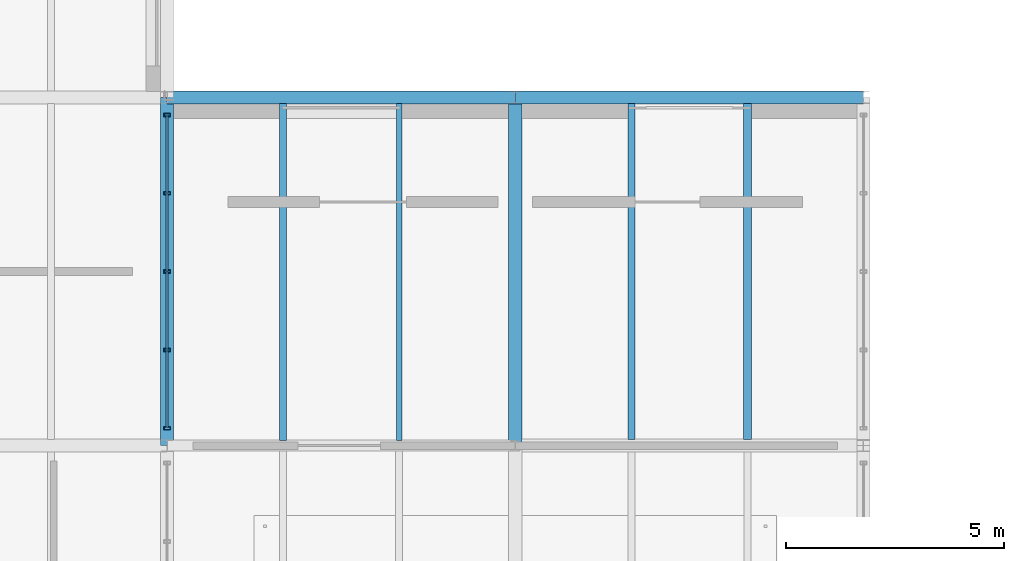
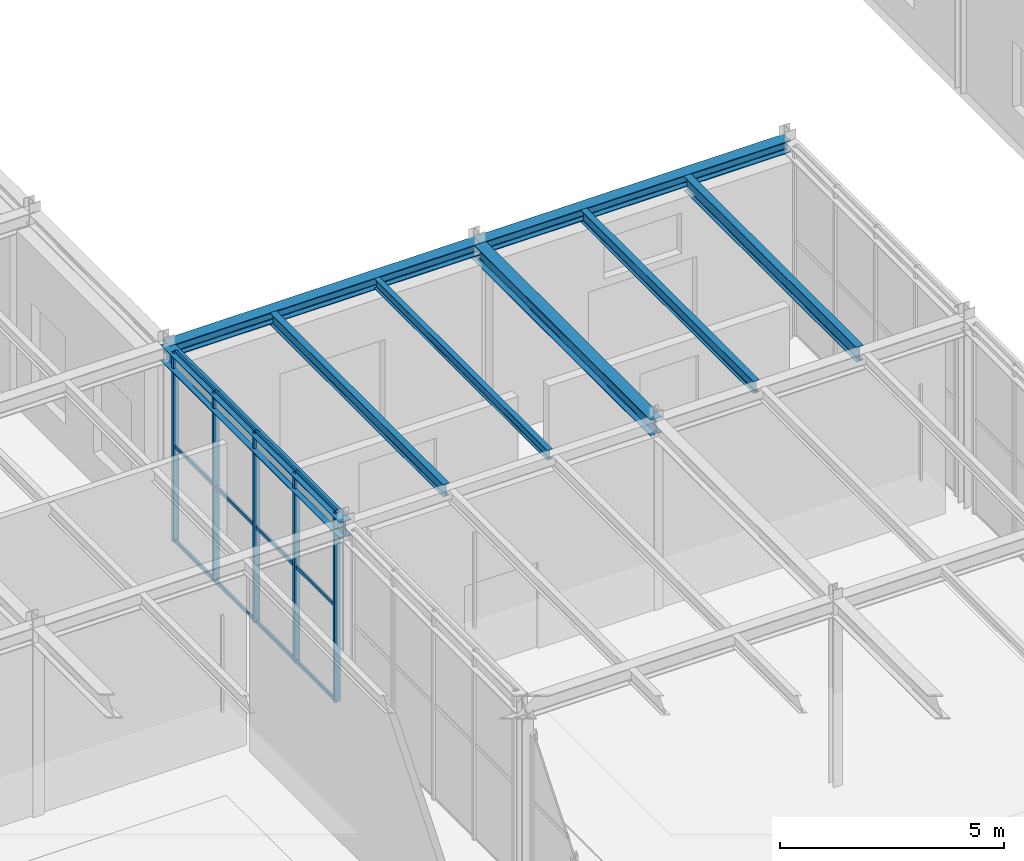
# One storey, part 53 of 129: 17 members, 8 beams, 1 element without a shape of its own.
"""IFC4 building model written with IfcOpenShell, lengths in metres."""

from ifc_helpers import new_model, si_unit, direction, frame, origin, origin_2d, place, context, subcontext, project, spatial, hollow_rectangle, i_section, extrude, material, material_profile, profile_set, type_object, element, aggregate, save


model = new_model("IFC4")

# Units and contexts
model_context = context("Model", 3, precision=1e-05, world=origin(), true_north=direction((0.0, 1.0)))
body_context = subcontext(model_context, "Body", "Model", "MODEL_VIEW")
ifc_project = project(units=[si_unit("LENGTHUNIT", "METRE"), si_unit("AREAUNIT", "SQUARE_METRE"), si_unit("VOLUMEUNIT", "CUBIC_METRE"), si_unit("PLANEANGLEUNIT", "RADIAN"), si_unit("MASSUNIT", "GRAM", prefix="KILO")], contexts=[model_context])

# Site, building, storey
site_placement = place(None, origin())
site = spatial("IfcSite", under=ifc_project, at=site_placement, CompositionType="ELEMENT")
building_placement = place(site_placement, origin())
building = spatial("IfcBuilding", under=site, at=building_placement, Name="Sundkrona Museum", CompositionType="ELEMENT")
storey_placement = place(building_placement, origin())
storey = spatial("IfcBuildingStorey", under=building, at=storey_placement, Name="L00", CompositionType="ELEMENT", Elevation=0.0)

# Beams
ifc_material_1 = material(Name="Steel S355J2", Category="steel")
ifc_material_profile_1 = material_profile(ifc_material_1, i_section(OverallWidth=0.300048828125, OverallDepth=0.43994140625, WebThickness=0.011474609375, FlangeThickness=0.02099609375, FilletRadius=0.027099609375, at=origin_2d()), Name="HEA 450")
ifc_profile_set_1 = profile_set([ifc_material_profile_1], Name="Steel S355J2")
beam_type_1 = type_object("IfcBeamType", Name="B-HEA450", PredefinedType="BEAM", material=ifc_profile_set_1)
for number, where, z_axis, x_axis, name in (
    (1, (80.0, 94.0, 4.919921875), (0.0, 1.0, 0.0), (-1.0, 0.0, 0.0), "L00 Girder Y-0683"),
    (2, (88.0, 94.0, 4.919921875), (0.0, 1.0, 0.0), (-1.0, 0.0, 0.0), "L00 Girder Y-0698"),
):
    element("IfcBeam", number, at=place(storey_placement, frame(where, z_axis=z_axis, x_axis=x_axis)), inside=storey, type_object=beam_type_1, Name=name, PredefinedType="BEAM", context=body_context, shape_type="SweptSolid", body=[
        extrude(i_section(OverallWidth=0.300048828125, OverallDepth=0.43994140625, WebThickness=0.011474609375, FlangeThickness=0.02099609375, FilletRadius=0.027099609375, at=origin_2d()), origin(), (0.0, 0.0, 1.0), 8.0),
    ])
ifc_material_profile_2 = material_profile(ifc_material_1, i_section(OverallWidth=0.135009765625, OverallDepth=0.27001953125, WebThickness=0.006591796875, FlangeThickness=0.01025390625, FilletRadius=0.014892578125, at=origin_2d()), Name="IPE 270")
ifc_profile_set_2 = profile_set([ifc_material_profile_2], Name="Steel S355J2")
beam_type_2 = type_object("IfcBeamType", Name="J-IPE270", PredefinedType="JOIST", material=ifc_profile_set_2)
beam_1_placement = place(storey_placement, frame((85.333251953125, 94.118896484375, 5.0048828125), z_axis=(0.0, 1.0, 0.0), x_axis=(-1.0, 0.0, 0.0)))
element("IfcBeam", 3, at=beam_1_placement, inside=storey, type_object=beam_type_2, Name="L00 Composite Joist 0410", PredefinedType="JOIST", context=body_context, shape_type="SweptSolid", body=[
    extrude(i_section(OverallWidth=0.135009765625, OverallDepth=0.27001953125, WebThickness=0.006591796875, FlangeThickness=0.01025390625, FilletRadius=0.014892578125, at=origin_2d()), origin(), (0.0, 0.0, 1.0), 7.737060546875),
])
ifc_material_profile_3 = material_profile(ifc_material_1, i_section(OverallWidth=0.159912109375, OverallDepth=0.330078125, WebThickness=0.007568359375, FlangeThickness=0.011474609375, FilletRadius=0.01806640625, at=origin_2d()), Name="IPE 330")
ifc_profile_set_3 = profile_set([ifc_material_profile_3], Name="Steel S355J2")
beam_type_3 = type_object("IfcBeamType", Name="J-IPE330", PredefinedType="JOIST", material=ifc_profile_set_3)
beam_2_placement = place(storey_placement, frame((82.666748046875, 94.118896484375, 4.97509765625), z_axis=(0.0, 1.0, 0.0), x_axis=(-1.0, 0.0, 0.0)))
element("IfcBeam", 4, at=beam_2_placement, inside=storey, type_object=beam_type_3, Name="L00 Composite Joist 0409", PredefinedType="JOIST", context=body_context, shape_type="SweptSolid", body=[
    extrude(i_section(OverallWidth=0.159912109375, OverallDepth=0.330078125, WebThickness=0.007568359375, FlangeThickness=0.011474609375, FilletRadius=0.01806640625, at=origin_2d()), origin(), (0.0, 0.0, 1.0), 7.737060546875),
])
beam_3_placement = place(storey_placement, frame((90.666748046875, 94.14404296875, 4.97509765625), z_axis=(0.0, 1.0, 0.0), x_axis=(-1.0, 0.0, 0.0)))
element("IfcBeam", 5, at=beam_3_placement, inside=storey, type_object=beam_type_3, Name="L00 Composite Joist 0429", PredefinedType="JOIST", context=body_context, shape_type="SweptSolid", body=[
    extrude(i_section(OverallWidth=0.159912109375, OverallDepth=0.330078125, WebThickness=0.007568359375, FlangeThickness=0.011474609375, FilletRadius=0.01806640625, at=origin_2d()), origin(), (0.0, 0.0, 1.0), 7.7119140625),
])
ifc_material_profile_4 = material_profile(ifc_material_1, i_section(OverallWidth=0.179931640625, OverallDepth=0.39990234375, WebThickness=0.008544921875, FlangeThickness=0.013427734375, FilletRadius=0.02099609375, at=origin_2d()), Name="IPE 400")
ifc_profile_set_4 = profile_set([ifc_material_profile_4], Name="Steel S355J2")
beam_type_4 = type_object("IfcBeamType", Name="J-IPE400", PredefinedType="JOIST", material=ifc_profile_set_4)
beam_4_placement = place(storey_placement, frame((93.333251953125, 94.14404296875, 4.93994140625), z_axis=(0.0, 1.0, 0.0), x_axis=(-1.0, 0.0, 0.0)))
element("IfcBeam", 6, at=beam_4_placement, inside=storey, type_object=beam_type_4, Name="L00 Composite Joist 0430", PredefinedType="JOIST", context=body_context, shape_type="SweptSolid", body=[
    extrude(i_section(OverallWidth=0.179931640625, OverallDepth=0.39990234375, WebThickness=0.008544921875, FlangeThickness=0.013427734375, FilletRadius=0.02099609375, at=origin_2d()), origin(), (0.0, 0.0, 1.0), 7.7119140625),
])

# Curtain wall, members
ifc_material_2 = material(Name="Unitised Aluminium-Steel and Ceramic-Clad Curtain Walling", Category="steel")
curtain_wall_type = type_object("IfcCurtainWallType", Name="CW-PS-74x48", PredefinedType="NOTDEFINED", material=ifc_material_2)
curtain_wall_placement = place(storey_placement, origin())
curtain_wall = element("IfcCurtainWall", 7, at=curtain_wall_placement, inside=storey, type_object=curtain_wall_type, Name="L00 Curtain Wall CW-L00-106", PredefinedType="NOTDEFINED")
ifc_material_3 = material(Name="Aluminium EN AW-6060 T66", Category="aluminium")
ifc_material_profile_5 = material_profile(ifc_material_3, hollow_rectangle(XDim=0.074951171875, YDim=0.14990234375, WallThickness=0.00634765625, at=origin_2d()), Name="RHS 150x75x6.3")
ifc_profile_set_5 = profile_set([ifc_material_profile_5], Name="Aluminium EN AW-6060 T66")
member_type_1 = type_object("IfcMemberType", Name="ML-150", PredefinedType="MULLION", material=ifc_profile_set_5)
member_1_placement = place(storey_placement, frame((80.0, 94.39990234375, -0.00390625), z_axis=(0.0, 0.0, 1.0), x_axis=(0.0, 1.0, 0.0)))
member_1 = element("IfcMember", 8, at=member_1_placement, type_object=member_type_1, Name="CW-L00-106 Mullion 01", PredefinedType="MULLION", context=body_context, shape_type="SweptSolid", body=[
    extrude(hollow_rectangle(XDim=0.074951171875, YDim=0.14990234375, WallThickness=0.00634765625, at=origin_2d()), origin(), (0.0, 0.0, 1.0), 5.14794921875),
])
member_2_placement = place(storey_placement, frame((80.0, 96.199951171875, -0.00390625), z_axis=(0.0, 0.0, 1.0), x_axis=(0.0, 1.0, 0.0)))
member_2 = element("IfcMember", 9, at=member_2_placement, type_object=member_type_1, Name="CW-L00-106 Mullion 02", PredefinedType="MULLION", context=body_context, shape_type="SweptSolid", body=[
    extrude(hollow_rectangle(XDim=0.074951171875, YDim=0.14990234375, WallThickness=0.00634765625, at=origin_2d()), origin(), (0.0, 0.0, 1.0), 5.14794921875),
])
member_3_placement = place(storey_placement, frame((80.0, 98.0, -0.00390625), z_axis=(0.0, 0.0, 1.0), x_axis=(0.0, 1.0, 0.0)))
member_3 = element("IfcMember", 10, at=member_3_placement, type_object=member_type_1, Name="CW-L00-106 Mullion 03", PredefinedType="MULLION", context=body_context, shape_type="SweptSolid", body=[
    extrude(hollow_rectangle(XDim=0.074951171875, YDim=0.14990234375, WallThickness=0.00634765625, at=origin_2d()), origin(), (0.0, 0.0, 1.0), 5.14794921875),
])
member_4_placement = place(storey_placement, frame((80.0, 99.800048828125, -0.00390625), z_axis=(0.0, 0.0, 1.0), x_axis=(0.0, 1.0, 0.0)))
member_4 = element("IfcMember", 11, at=member_4_placement, type_object=member_type_1, Name="CW-L00-106 Mullion 04", PredefinedType="MULLION", context=body_context, shape_type="SweptSolid", body=[
    extrude(hollow_rectangle(XDim=0.074951171875, YDim=0.14990234375, WallThickness=0.00634765625, at=origin_2d()), origin(), (0.0, 0.0, 1.0), 5.14794921875),
])
member_5_placement = place(storey_placement, frame((80.0, 101.60009765625, -0.00390625), z_axis=(0.0, 0.0, 1.0), x_axis=(0.0, 1.0, 0.0)))
member_5 = element("IfcMember", 12, at=member_5_placement, type_object=member_type_1, Name="CW-L00-106 Mullion 05", PredefinedType="MULLION", context=body_context, shape_type="SweptSolid", body=[
    extrude(hollow_rectangle(XDim=0.074951171875, YDim=0.14990234375, WallThickness=0.00634765625, at=origin_2d()), origin(), (0.0, 0.0, 1.0), 5.14794921875),
])

# Beams
ifc_material_profile_6 = material_profile(ifc_material_1, i_section(OverallWidth=0.300048828125, OverallDepth=0.320068359375, WebThickness=0.011474609375, FlangeThickness=0.0205078125, FilletRadius=0.027099609375, at=origin_2d()), Name="HEB 320")
ifc_profile_set_6 = profile_set([ifc_material_profile_6], Name="Steel S355J2")
beam_type_5 = type_object("IfcBeamType", Name="SP-HEB320", PredefinedType="SPANDREL", material=ifc_profile_set_6)
for number, where, z_axis, x_axis, name in (
    (13, (80.0, 102.0, 4.97998046875), (1.0, 0.0, 0.0), (0.0, 1.0, 0.0), "L00 Girder X-0575"),
    (14, (88.0, 102.0, 4.97998046875), (1.0, 0.0, 0.0), (0.0, 1.0, 0.0), "L00 Girder X-0576"),
):
    element("IfcBeam", number, at=place(storey_placement, frame(where, z_axis=z_axis, x_axis=x_axis)), inside=storey, type_object=beam_type_5, Name=name, PredefinedType="SPANDREL", context=body_context, shape_type="SweptSolid", body=[
        extrude(i_section(OverallWidth=0.300048828125, OverallDepth=0.320068359375, WebThickness=0.011474609375, FlangeThickness=0.0205078125, FilletRadius=0.027099609375, at=origin_2d()), origin(), (0.0, 0.0, 1.0), 8.0),
    ])

# Member
ifc_material_profile_7 = material_profile(ifc_material_3, hollow_rectangle(XDim=0.050048828125, YDim=0.10009765625, WallThickness=0.0048828125, at=origin_2d()), Name="RHS 100x50x5.0")
ifc_profile_set_7 = profile_set([ifc_material_profile_7], Name="Aluminium EN AW-6060 T66")
member_type_2 = type_object("IfcMemberType", Name="TR-100", PredefinedType="USERDEFINED", material=ifc_profile_set_7)
member_6_placement = place(storey_placement, frame((80.0, 94.39990234375, -0.00390625), z_axis=(0.0, 1.0, 0.0), x_axis=(-1.0, 0.0, 0.0)))
member_6 = element("IfcMember", 15, at=member_6_placement, type_object=member_type_2, Name="CW-L00-106 Transom 01", ObjectType="TRANSOM", PredefinedType="USERDEFINED", context=body_context, shape_type="SweptSolid", body=[
    extrude(hollow_rectangle(XDim=0.050048828125, YDim=0.10009765625, WallThickness=0.0048828125, at=origin_2d()), origin(), (0.0, 0.0, 1.0), 1.800048828125),
])

member_7_placement = place(storey_placement, frame((80.0, 94.39990234375, 2.570068359375), z_axis=(0.0, 1.0, 0.0), x_axis=(-1.0, 0.0, 0.0)))
member_7 = element("IfcMember", 16, at=member_7_placement, type_object=member_type_2, Name="CW-L00-106 Transom 02", ObjectType="TRANSOM", PredefinedType="USERDEFINED", context=body_context, shape_type="SweptSolid", body=[
    extrude(hollow_rectangle(XDim=0.050048828125, YDim=0.10009765625, WallThickness=0.0048828125, at=origin_2d()), origin(), (0.0, 0.0, 1.0), 1.800048828125),
])

member_8_placement = place(storey_placement, frame((80.0, 94.39990234375, 5.14404296875), z_axis=(0.0, 1.0, 0.0), x_axis=(-1.0, 0.0, 0.0)))
member_8 = element("IfcMember", 17, at=member_8_placement, type_object=member_type_2, Name="CW-L00-106 Transom 03", ObjectType="TRANSOM", PredefinedType="USERDEFINED", context=body_context, shape_type="SweptSolid", body=[
    extrude(hollow_rectangle(XDim=0.050048828125, YDim=0.10009765625, WallThickness=0.0048828125, at=origin_2d()), origin(), (0.0, 0.0, 1.0), 1.800048828125),
])

member_9_placement = place(storey_placement, frame((80.0, 96.199951171875, -0.00390625), z_axis=(0.0, 1.0, 0.0), x_axis=(-1.0, 0.0, 0.0)))
member_9 = element("IfcMember", 18, at=member_9_placement, type_object=member_type_2, Name="CW-L00-106 Transom 04", ObjectType="TRANSOM", PredefinedType="USERDEFINED", context=body_context, shape_type="SweptSolid", body=[
    extrude(hollow_rectangle(XDim=0.050048828125, YDim=0.10009765625, WallThickness=0.0048828125, at=origin_2d()), origin(), (0.0, 0.0, 1.0), 1.800048828125),
])

member_10_placement = place(storey_placement, frame((80.0, 96.199951171875, 2.570068359375), z_axis=(0.0, 1.0, 0.0), x_axis=(-1.0, 0.0, 0.0)))
member_10 = element("IfcMember", 19, at=member_10_placement, type_object=member_type_2, Name="CW-L00-106 Transom 05", ObjectType="TRANSOM", PredefinedType="USERDEFINED", context=body_context, shape_type="SweptSolid", body=[
    extrude(hollow_rectangle(XDim=0.050048828125, YDim=0.10009765625, WallThickness=0.0048828125, at=origin_2d()), origin(), (0.0, 0.0, 1.0), 1.800048828125),
])

member_11_placement = place(storey_placement, frame((80.0, 96.199951171875, 5.14404296875), z_axis=(0.0, 1.0, 0.0), x_axis=(-1.0, 0.0, 0.0)))
member_11 = element("IfcMember", 20, at=member_11_placement, type_object=member_type_2, Name="CW-L00-106 Transom 06", ObjectType="TRANSOM", PredefinedType="USERDEFINED", context=body_context, shape_type="SweptSolid", body=[
    extrude(hollow_rectangle(XDim=0.050048828125, YDim=0.10009765625, WallThickness=0.0048828125, at=origin_2d()), origin(), (0.0, 0.0, 1.0), 1.800048828125),
])

member_12_placement = place(storey_placement, frame((80.0, 98.0, -0.00390625), z_axis=(0.0, 1.0, 0.0), x_axis=(-1.0, 0.0, 0.0)))
member_12 = element("IfcMember", 21, at=member_12_placement, type_object=member_type_2, Name="CW-L00-106 Transom 07", ObjectType="TRANSOM", PredefinedType="USERDEFINED", context=body_context, shape_type="SweptSolid", body=[
    extrude(hollow_rectangle(XDim=0.050048828125, YDim=0.10009765625, WallThickness=0.0048828125, at=origin_2d()), origin(), (0.0, 0.0, 1.0), 1.800048828125),
])

member_13_placement = place(storey_placement, frame((80.0, 98.0, 2.570068359375), z_axis=(0.0, 1.0, 0.0), x_axis=(-1.0, 0.0, 0.0)))
member_13 = element("IfcMember", 22, at=member_13_placement, type_object=member_type_2, Name="CW-L00-106 Transom 08", ObjectType="TRANSOM", PredefinedType="USERDEFINED", context=body_context, shape_type="SweptSolid", body=[
    extrude(hollow_rectangle(XDim=0.050048828125, YDim=0.10009765625, WallThickness=0.0048828125, at=origin_2d()), origin(), (0.0, 0.0, 1.0), 1.800048828125),
])

member_14_placement = place(storey_placement, frame((80.0, 98.0, 5.14404296875), z_axis=(0.0, 1.0, 0.0), x_axis=(-1.0, 0.0, 0.0)))
member_14 = element("IfcMember", 23, at=member_14_placement, type_object=member_type_2, Name="CW-L00-106 Transom 09", ObjectType="TRANSOM", PredefinedType="USERDEFINED", context=body_context, shape_type="SweptSolid", body=[
    extrude(hollow_rectangle(XDim=0.050048828125, YDim=0.10009765625, WallThickness=0.0048828125, at=origin_2d()), origin(), (0.0, 0.0, 1.0), 1.800048828125),
])

member_15_placement = place(storey_placement, frame((80.0, 99.800048828125, -0.00390625), z_axis=(0.0, 1.0, 0.0), x_axis=(-1.0, 0.0, 0.0)))
member_15 = element("IfcMember", 24, at=member_15_placement, type_object=member_type_2, Name="CW-L00-106 Transom 10", ObjectType="TRANSOM", PredefinedType="USERDEFINED", context=body_context, shape_type="SweptSolid", body=[
    extrude(hollow_rectangle(XDim=0.050048828125, YDim=0.10009765625, WallThickness=0.0048828125, at=origin_2d()), origin(), (0.0, 0.0, 1.0), 1.800048828125),
])

member_16_placement = place(storey_placement, frame((80.0, 99.800048828125, 2.570068359375), z_axis=(0.0, 1.0, 0.0), x_axis=(-1.0, 0.0, 0.0)))
member_16 = element("IfcMember", 25, at=member_16_placement, type_object=member_type_2, Name="CW-L00-106 Transom 11", ObjectType="TRANSOM", PredefinedType="USERDEFINED", context=body_context, shape_type="SweptSolid", body=[
    extrude(hollow_rectangle(XDim=0.050048828125, YDim=0.10009765625, WallThickness=0.0048828125, at=origin_2d()), origin(), (0.0, 0.0, 1.0), 1.800048828125),
])

member_17_placement = place(storey_placement, frame((80.0, 99.800048828125, 5.14404296875), z_axis=(0.0, 1.0, 0.0), x_axis=(-1.0, 0.0, 0.0)))
member_17 = element("IfcMember", 26, at=member_17_placement, type_object=member_type_2, Name="CW-L00-106 Transom 12", ObjectType="TRANSOM", PredefinedType="USERDEFINED", context=body_context, shape_type="SweptSolid", body=[
    extrude(hollow_rectangle(XDim=0.050048828125, YDim=0.10009765625, WallThickness=0.0048828125, at=origin_2d()), origin(), (0.0, 0.0, 1.0), 1.800048828125),
])

aggregate(curtain_wall, [member_1, member_2, member_3, member_4, member_5, member_6, member_7, member_8, member_9, member_10, member_11, member_12, member_13, member_14, member_15, member_16, member_17])

save(model, "model.ifc")
